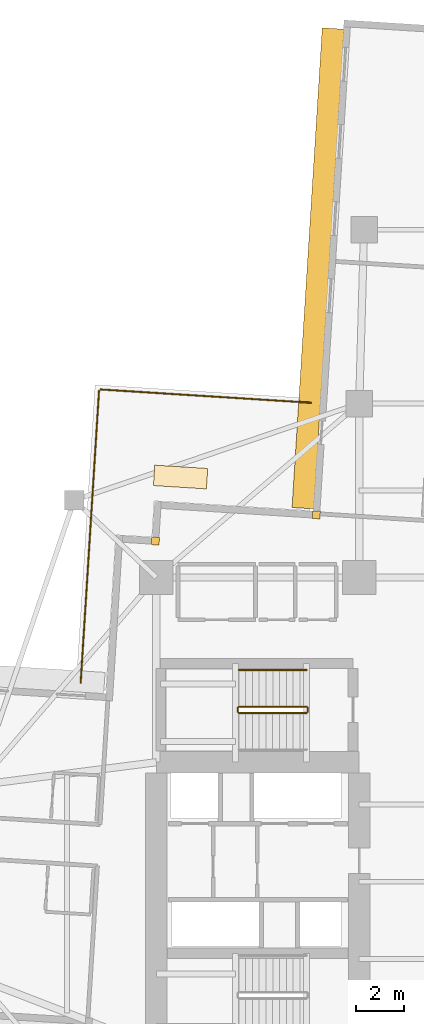
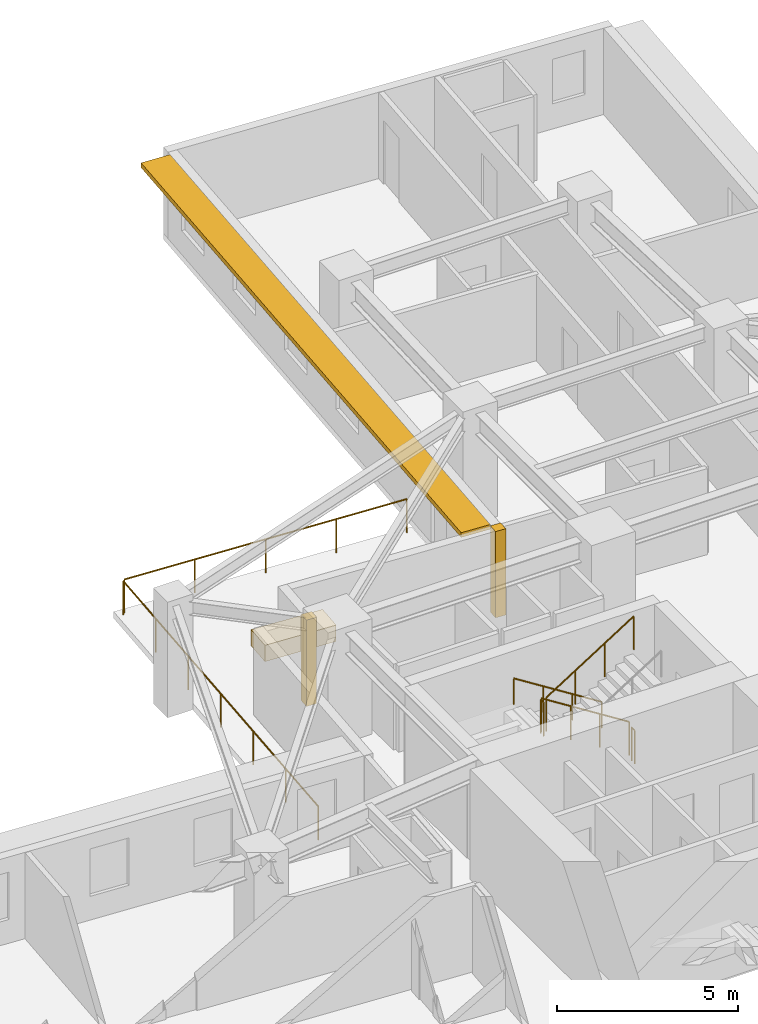
# One storey, part 13 of 14: 7 railings, 3 coverings, 1 shading device.
"""IFC4 building model written with IfcOpenShell, lengths in metres."""

from ifc_helpers import new_model, si_unit, direction, frame, origin, origin_2d, place, context, subcontext, project, spatial, rectangle, circle, extrude, material, layer, layer_set, type_object, element, save


model = new_model("IFC4")

# Units and contexts
model_context = context("Model", 3, precision=1e-05, world=origin(), true_north=direction((0.0, 1.0)))
body_context = subcontext(model_context, "Body", "Model", "MODEL_VIEW")
ifc_project = project(units=[si_unit("LENGTHUNIT", "METRE"), si_unit("AREAUNIT", "SQUARE_METRE"), si_unit("VOLUMEUNIT", "CUBIC_METRE"), si_unit("PLANEANGLEUNIT", "RADIAN"), si_unit("MASSUNIT", "GRAM", prefix="KILO")], contexts=[model_context])

# Site, building, storey
site_placement = place(None, origin())
site = spatial("IfcSite", under=ifc_project, at=site_placement, CompositionType="ELEMENT")
building_placement = place(site_placement, origin())
building = spatial("IfcBuilding", under=site, at=building_placement, Name="Qingluan Cross Belvedere", CompositionType="ELEMENT")
storey_placement = place(building_placement, frame((0.0, 0.0, 87.300048828125)))
storey = spatial("IfcBuildingStorey", under=building, at=storey_placement, Name="L22", CompositionType="ELEMENT", Elevation=87.300048828125)

# Coverings
ifc_material_1 = material(Name="Precast concrete C45", Category="concrete")
ifc_layer_1 = layer(ifc_material_1, 0.1201171875, Name="ConcreteSpandrelCladding_120")
ifc_layer_set_1 = layer_set([ifc_layer_1], Name="Precast concrete C45")
covering_type_1 = type_object("IfcCoveringType", Name="ConcreteSpandrelCladding_120", PredefinedType="CLADDING", material=ifc_layer_set_1)
for number, where, z_axis, x_axis, name in (
    (1, (-12.438720703125, 14.10888671875, 0.0), (0.0, 0.0, 1.0), (0.998026728428, -0.062790519529, 0.0), "Corner closure L22-NW1"),
    (2, (-5.77734375, 15.192626953125, 0.0), (0.0, 0.0, 1.0), (0.998026728428, -0.062790519529, 0.0), "Corner closure L22-NW2"),
):
    element("IfcCovering", number, at=place(storey_placement, frame(where, z_axis=z_axis, x_axis=x_axis)), inside=storey, type_object=covering_type_1, Name=name, PredefinedType="CLADDING", context=body_context, shape_type="SweptSolid", body=[
        extrude(rectangle(XDim=0.320068359375, YDim=0.320068359375, at=origin_2d()), origin(), (0.0, 0.0, 1.0), 2.909912109375),
    ])

# Shading device
ifc_material_2 = material(Name="Precast concrete C45", Category="concrete")
ifc_layer_2 = layer(ifc_material_2, 0.159912109375, Name="ConcreteSunshadeBand_900")
ifc_layer_set_2 = layer_set([ifc_layer_2], Name="Precast concrete C45")
shading_device_type = type_object("IfcShadingDeviceType", Name="ConcreteSunshadeBand_900", PredefinedType="USERDEFINED", material=ifc_layer_set_2)
shading_device_placement = place(storey_placement, frame((-5.70654296875, 25.3984375, 2.72998046875), z_axis=(0.0, 0.0, 1.0), x_axis=(-0.062786203294, -0.998026999973, 0.0)))
element("IfcShadingDevice", 3, at=shading_device_placement, inside=storey, type_object=shading_device_type, Name="Concrete SUNSHADE L22-NB", ObjectType="SUNSHADE", PredefinedType="USERDEFINED", context=body_context, shape_type="SweptSolid", body=[
    extrude(rectangle(XDim=19.89990234375, YDim=0.89990234375, at=origin_2d()), origin(), (0.0, 0.0, 1.0), 0.159912109375),
])

# Railings
ifc_material_3 = material(Name="Brushed stainless steel tubular handrail", Category="steel")
railing_type_1 = type_object("IfcRailingType", Name="StairPitchHandrail_900", PredefinedType="HANDRAIL", material=ifc_material_3)
railing_1_placement = place(storey_placement, frame((-6.179931640625, 8.77001953125, 0.17724609375)))
element("IfcRailing", 4, at=railing_1_placement, inside=storey, type_object=railing_type_1, Name="L22 ST3 stair handrail 1", PredefinedType="HANDRAIL", context=body_context, shape_type="SweptSolid", body=[
    extrude(circle(Radius=0.02392578125, at=origin_2d()), frame((0.0, 0.0, 0.8759765625), z_axis=(-0.844908973607, 0.0, 0.534910110503), x_axis=(0.0, -1.0, 0.0)), (0.0, 0.0, 1.0), 3.31396484375),
    extrude(circle(Radius=0.02099609375, at=origin_2d()), origin(), (0.0, 0.0, 1.0), 0.851806640625),
    extrude(circle(Radius=0.02099609375, at=origin_2d()), frame((-0.933349609375, 0.0, 0.5908203125)), (0.0, 0.0, 1.0), 0.851806640625),
    extrude(circle(Radius=0.02099609375, at=origin_2d()), frame((-1.86669921875, 0.0, 1.181884765625)), (0.0, 0.0, 1.0), 0.851806640625),
    extrude(circle(Radius=0.02099609375, at=origin_2d()), frame((-2.800048828125, 0.0, 1.772705078125)), (0.0, 0.0, 1.0), 0.851806640625),
])
ifc_material_4 = material(Name="Painted steel stair well guard", Category="steel")
railing_type_2 = type_object("IfcRailingType", Name="StairWellGuard_1150", PredefinedType="BALUSTRADE", material=ifc_material_4)
railing_2_placement = place(storey_placement, frame((-6.179931640625, 7.25, 0.17724609375)))
element("IfcRailing", 5, at=railing_2_placement, inside=storey, type_object=railing_type_2, Name="L22 ST3 stair guard 1", PredefinedType="BALUSTRADE", context=body_context, shape_type="SweptSolid", body=[
    extrude(circle(Radius=0.02392578125, at=origin_2d()), frame((0.0, 0.0, 1.1259765625), z_axis=(-0.844908973607, 0.0, 0.534910110503), x_axis=(0.0, -1.0, 0.0)), (0.0, 0.0, 1.0), 3.31396484375),
    extrude(circle(Radius=0.02099609375, at=origin_2d()), origin(), (0.0, 0.0, 1.0), 1.101806640625),
    extrude(circle(Radius=0.02099609375, at=origin_2d()), frame((-0.933349609375, 0.0, 0.5908203125)), (0.0, 0.0, 1.0), 1.101806640625),
    extrude(circle(Radius=0.02099609375, at=origin_2d()), frame((-1.86669921875, 0.0, 1.181884765625)), (0.0, 0.0, 1.0), 1.101806640625),
    extrude(circle(Radius=0.02099609375, at=origin_2d()), frame((-2.800048828125, 0.0, 1.772705078125)), (0.0, 0.0, 1.0), 1.101806640625),
])
railing_3_placement = place(storey_placement, frame((-9.030029296875, 7.199951171875, 1.949951171875)))
element("IfcRailing", 6, at=railing_3_placement, inside=storey, type_object=railing_type_2, Name="L22 ST3 stair guard 2", PredefinedType="BALUSTRADE", context=body_context, shape_type="SweptSolid", body=[
    extrude(circle(Radius=0.02392578125, at=origin_2d()), frame((0.0, 0.0, 1.1259765625), z_axis=(0.0, -1.0, 0.0), x_axis=(1.0, 0.0, 0.0)), (0.0, 0.0, 1.0), 0.159912109375),
    extrude(circle(Radius=0.02099609375, at=origin_2d()), origin(), (0.0, 0.0, 1.0), 1.101806640625),
    extrude(circle(Radius=0.02099609375, at=origin_2d()), frame((0.0, -0.159912109375, 0.0)), (0.0, 0.0, 1.0), 1.101806640625),
])
railing_4_placement = place(storey_placement, frame((-8.97998046875, 6.989990234375, 2.127197265625)))
element("IfcRailing", 7, at=railing_4_placement, inside=storey, type_object=railing_type_2, Name="L22 ST3 stair guard 3", PredefinedType="BALUSTRADE", context=body_context, shape_type="SweptSolid", body=[
    extrude(circle(Radius=0.02392578125, at=origin_2d()), frame((0.0, 0.0, 1.1259765625), z_axis=(0.844908973607, 0.0, 0.534910110503), x_axis=(0.0, 1.0, 0.0)), (0.0, 0.0, 1.0), 3.31396484375),
    extrude(circle(Radius=0.02099609375, at=origin_2d()), origin(), (0.0, 0.0, 1.0), 1.101806640625),
    extrude(circle(Radius=0.02099609375, at=origin_2d()), frame((0.933349609375, 0.0, 0.5908203125)), (0.0, 0.0, 1.0), 1.101806640625),
    extrude(circle(Radius=0.02099609375, at=origin_2d()), frame((1.86669921875, 0.0, 1.181884765625)), (0.0, 0.0, 1.0), 1.101806640625),
    extrude(circle(Radius=0.02099609375, at=origin_2d()), frame((2.800048828125, 0.0, 1.772705078125)), (0.0, 0.0, 1.0), 1.101806640625),
])
railing_5_placement = place(storey_placement, frame((-6.1298828125, 7.199951171875, 0.0)))
element("IfcRailing", 8, at=railing_5_placement, inside=storey, type_object=railing_type_2, Name="L22 ST3 stair guard 4", PredefinedType="BALUSTRADE", context=body_context, shape_type="SweptSolid", body=[
    extrude(circle(Radius=0.02392578125, at=origin_2d()), frame((0.0, 0.0, 1.1259765625), z_axis=(0.0, -1.0, 0.0), x_axis=(1.0, 0.0, 0.0)), (0.0, 0.0, 1.0), 0.159912109375),
    extrude(circle(Radius=0.02099609375, at=origin_2d()), origin(), (0.0, 0.0, 1.0), 1.101806640625),
    extrude(circle(Radius=0.02099609375, at=origin_2d()), frame((0.0, -0.159912109375, 0.0)), (0.0, 0.0, 1.0), 1.101806640625),
])
ifc_material_5 = material(Name="Laminated glass and stainless steel balustrade", Category="steel")
railing_type_3 = type_object("IfcRailingType", Name="TerraceGuardBalustrade_1150", PredefinedType="BALUSTRADE", material=ifc_material_5)
railing_6_placement = place(storey_placement, frame((-15.53369140625, 8.231689453125, 0.0)))
element("IfcRailing", 9, at=railing_6_placement, inside=storey, type_object=railing_type_3, Name="Terrace guard L22-1", PredefinedType="BALUSTRADE", context=body_context, shape_type="SweptSolid", body=[
    extrude(circle(Radius=0.02392578125, at=origin_2d()), frame((0.0, 0.0, 1.1259765625), z_axis=(0.062788368842, 0.998026863736, 0.0), x_axis=(-0.998026863736, 0.062788368842, 0.0)), (0.0, 0.0, 1.0), 12.119873046875),
    extrude(circle(Radius=0.02099609375, at=origin_2d()), origin(), (0.0, 0.0, 1.0), 1.101806640625),
    extrude(circle(Radius=0.02099609375, at=origin_2d()), frame((0.126953125, 2.01611328125, 0.0)), (0.0, 0.0, 1.0), 1.101806640625),
    extrude(circle(Radius=0.02099609375, at=origin_2d()), frame((0.253662109375, 4.031982421875, 0.0)), (0.0, 0.0, 1.0), 1.101806640625),
    extrude(circle(Radius=0.02099609375, at=origin_2d()), frame((0.38037109375, 6.0478515625, 0.0)), (0.0, 0.0, 1.0), 1.101806640625),
    extrude(circle(Radius=0.02099609375, at=origin_2d()), frame((0.50732421875, 8.06396484375, 0.0)), (0.0, 0.0, 1.0), 1.101806640625),
    extrude(circle(Radius=0.02099609375, at=origin_2d()), frame((0.63427734375, 10.080078125, 0.0)), (0.0, 0.0, 1.0), 1.101806640625),
    extrude(circle(Radius=0.02099609375, at=origin_2d()), frame((0.760986328125, 12.095947265625, 0.0)), (0.0, 0.0, 1.0), 1.101806640625),
])
railing_7_placement = place(storey_placement, frame((-14.708984375, 20.3837890625, 0.0)))
element("IfcRailing", 10, at=railing_7_placement, inside=storey, type_object=railing_type_3, Name="Terrace guard L22-2", PredefinedType="BALUSTRADE", context=body_context, shape_type="SweptSolid", body=[
    extrude(circle(Radius=0.02392578125, at=origin_2d()), frame((0.0, 0.0, 1.1259765625), z_axis=(0.998026125216, -0.062800106572, 0.0), x_axis=(0.062800106572, 0.998026125216, 0.0)), (0.0, 0.0, 1.0), 8.7197265625),
    extrude(circle(Radius=0.02099609375, at=origin_2d()), origin(), (0.0, 0.0, 1.0), 1.101806640625),
    extrude(circle(Radius=0.02099609375, at=origin_2d()), frame((2.17578125, -0.136962890625, 0.0)), (0.0, 0.0, 1.0), 1.101806640625),
    extrude(circle(Radius=0.02099609375, at=origin_2d()), frame((4.351318359375, -0.27392578125, 0.0)), (0.0, 0.0, 1.0), 1.101806640625),
    extrude(circle(Radius=0.02099609375, at=origin_2d()), frame((6.52685546875, -0.41064453125, 0.0)), (0.0, 0.0, 1.0), 1.101806640625),
    extrude(circle(Radius=0.02099609375, at=origin_2d()), frame((8.70263671875, -0.547607421875, 0.0)), (0.0, 0.0, 1.0), 1.101806640625),
])

# Covering
ifc_material_6 = material(Name="Precast concrete C40", Category="concrete")
ifc_layer_3 = layer(ifc_material_6, 0.550048828125, Name="TerracePlanterBox")
ifc_layer_set_3 = layer_set([ifc_layer_3], Name="Precast concrete C40")
covering_type_2 = type_object("IfcCoveringType", Name="TerracePlanterBox", PredefinedType="USERDEFINED", material=ifc_layer_set_3)
covering_placement = place(storey_placement, frame((-11.39599609375, 16.758056640625, 0.0), z_axis=(0.0, 0.0, 1.0), x_axis=(0.998026728428, -0.062790519529, 0.0)))
element("IfcCovering", 11, at=covering_placement, inside=storey, type_object=covering_type_2, Name="Spiralling winter-garden planter L22", ObjectType="PLANTER", PredefinedType="USERDEFINED", context=body_context, shape_type="SweptSolid", body=[
    extrude(rectangle(XDim=2.199951171875, YDim=0.85009765625, at=origin_2d()), origin(), (0.0, 0.0, 1.0), 0.550048828125),
])

save(model, "model.ifc")
